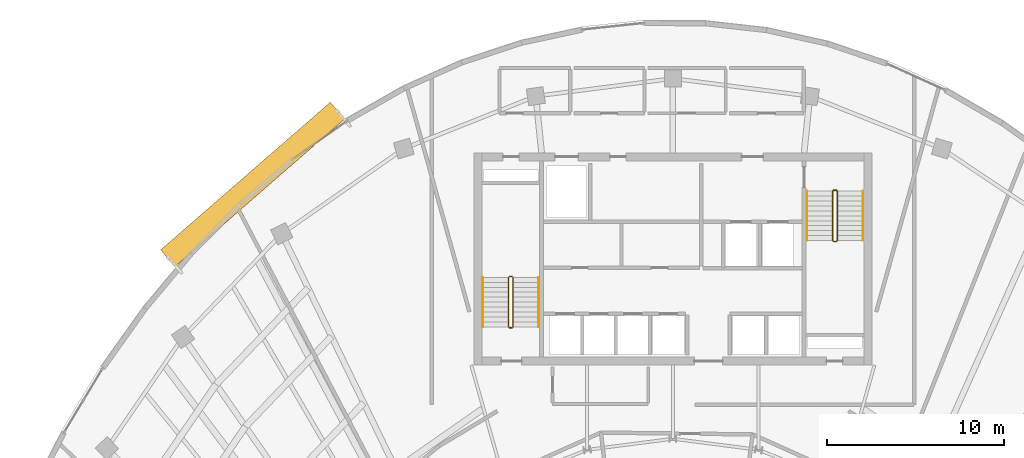
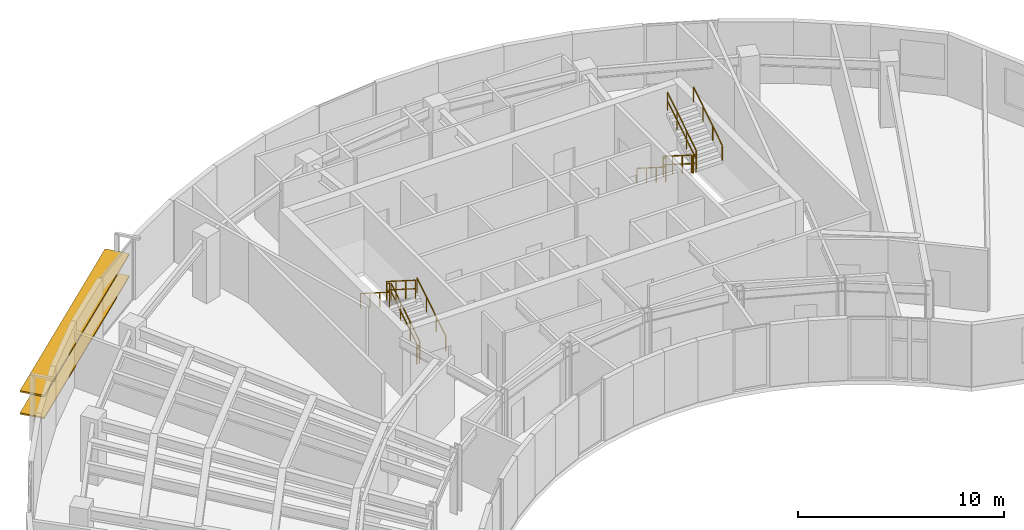
# One storey, part 12 of 12: 12 railings, 2 shading devices.
"""IFC4 building model written with IfcOpenShell, lengths in metres."""

from ifc_helpers import new_model, si_unit, direction, frame, origin, origin_2d, place, context, subcontext, project, spatial, rectangle, extrude, source, transform, mapped, material, material_profile, profile_set, type_object, element, save


model = new_model("IFC4")

# Units and contexts
model_context = context("Model", 3, precision=1e-05, world=origin(), true_north=direction((0.0, 1.0)))
body_context = subcontext(model_context, "Body", "Model", "MODEL_VIEW")
ifc_project = project(units=[si_unit("LENGTHUNIT", "METRE"), si_unit("AREAUNIT", "SQUARE_METRE"), si_unit("VOLUMEUNIT", "CUBIC_METRE"), si_unit("PLANEANGLEUNIT", "RADIAN"), si_unit("MASSUNIT", "GRAM", prefix="KILO")], contexts=[model_context])

# Site, building, storey
site_placement = place(None, origin())
site = spatial("IfcSite", under=ifc_project, at=site_placement, CompositionType="ELEMENT")
building_placement = place(site_placement, origin())
building = spatial("IfcBuilding", under=site, at=building_placement, Name="Breltana Convention Tower", CompositionType="ELEMENT")
storey_placement = place(building_placement, frame((0.0, 0.0, 246.89990234375)))
storey = spatial("IfcBuildingStorey", under=building, at=storey_placement, Name="L60", CompositionType="ELEMENT", Elevation=246.89990234375)

# Railings
ifc_material_1 = material(Name="Steel S275 Painted", Category="steel")
railing_type_1 = type_object("IfcRailingType", Name="RL-STAIR-GUARD-1100", PredefinedType="GUARDRAIL", material=ifc_material_1)
railing_1_placement = place(storey_placement, frame((38.9599609375, 62.360107421875, 0.177490234375)))
element("IfcRailing", 1, at=railing_1_placement, inside=storey, type_object=railing_type_1, Name="L60 ST-1 stair guard 1", PredefinedType="GUARDRAIL", context=body_context, shape_type="SweptSolid", body=[
    extrude(rectangle(XDim=0.048095703125, YDim=0.048095703125, at=origin_2d()), frame((0.0, 0.0, 1.076171875), z_axis=(0.0, 0.844887892834, 0.53494340686), x_axis=(-1.0, 0.0, 0.0)), (0.0, 0.0, 1.0), 3.313720703125),
    extrude(rectangle(XDim=0.048095703125, YDim=0.048095703125, at=origin_2d()), frame((0.0, 0.0, 0.572021484375), z_axis=(0.0, 0.844887892834, 0.53494340686), x_axis=(-1.0, 0.0, 0.0)), (0.0, 0.0, 1.0), 3.313720703125),
    extrude(rectangle(XDim=0.0419921875, YDim=0.0419921875, at=origin_2d()), origin(), (0.0, 0.0, 1.0), 1.052001953125),
    extrude(rectangle(XDim=0.0419921875, YDim=0.0419921875, at=origin_2d()), frame((0.0, 0.933349609375, 0.5908203125)), (0.0, 0.0, 1.0), 1.052001953125),
    extrude(rectangle(XDim=0.0419921875, YDim=0.0419921875, at=origin_2d()), frame((0.0, 1.866455078125, 1.181884765625)), (0.0, 0.0, 1.0), 1.052001953125),
    extrude(rectangle(XDim=0.0419921875, YDim=0.0419921875, at=origin_2d()), frame((0.0, 2.7998046875, 1.772705078125)), (0.0, 0.0, 1.0), 1.052001953125),
])
railing_2_placement = place(storey_placement, frame((38.909912109375, 65.2099609375, 1.9501953125)))
element("IfcRailing", 2, at=railing_2_placement, inside=storey, type_object=railing_type_1, Name="L60 ST-1 stair guard 2", PredefinedType="GUARDRAIL", context=body_context, shape_type="SweptSolid", body=[
    extrude(rectangle(XDim=0.048095703125, YDim=0.048095703125, at=origin_2d()), frame((0.0, 0.0, 1.076171875), z_axis=(-1.0, 0.0, 0.0), x_axis=(0.0, -1.0, 0.0)), (0.0, 0.0, 1.0), 0.14990234375),
    extrude(rectangle(XDim=0.048095703125, YDim=0.048095703125, at=origin_2d()), frame((0.0, 0.0, 0.572021484375), z_axis=(-1.0, 0.0, 0.0), x_axis=(0.0, -1.0, 0.0)), (0.0, 0.0, 1.0), 0.14990234375),
    extrude(rectangle(XDim=0.0419921875, YDim=0.0419921875, at=origin_2d()), origin(), (0.0, 0.0, 1.0), 1.052001953125),
    extrude(rectangle(XDim=0.0419921875, YDim=0.0419921875, at=origin_2d()), frame((-0.14990234375, 0.0, 0.0)), (0.0, 0.0, 1.0), 1.052001953125),
])
railing_3_placement = place(storey_placement, frame((38.7099609375, 65.159912109375, 2.12744140625)))
element("IfcRailing", 3, at=railing_3_placement, inside=storey, type_object=railing_type_1, Name="L60 ST-1 stair guard 3", PredefinedType="GUARDRAIL", context=body_context, shape_type="SweptSolid", body=[
    extrude(rectangle(XDim=0.048095703125, YDim=0.048095703125, at=origin_2d()), frame((0.0, 0.0, 1.076171875), z_axis=(0.0, -0.844887892834, 0.53494340686), x_axis=(1.0, 0.0, 0.0)), (0.0, 0.0, 1.0), 3.313720703125),
    extrude(rectangle(XDim=0.048095703125, YDim=0.048095703125, at=origin_2d()), frame((0.0, 0.0, 0.572021484375), z_axis=(0.0, -0.844887892834, 0.53494340686), x_axis=(1.0, 0.0, 0.0)), (0.0, 0.0, 1.0), 3.313720703125),
    extrude(rectangle(XDim=0.0419921875, YDim=0.0419921875, at=origin_2d()), origin(), (0.0, 0.0, 1.0), 1.052001953125),
    extrude(rectangle(XDim=0.0419921875, YDim=0.0419921875, at=origin_2d()), frame((0.0, -0.933349609375, 0.5908203125)), (0.0, 0.0, 1.0), 1.052001953125),
    extrude(rectangle(XDim=0.0419921875, YDim=0.0419921875, at=origin_2d()), frame((0.0, -1.866455078125, 1.181884765625)), (0.0, 0.0, 1.0), 1.052001953125),
    extrude(rectangle(XDim=0.0419921875, YDim=0.0419921875, at=origin_2d()), frame((0.0, -2.7998046875, 1.772705078125)), (0.0, 0.0, 1.0), 1.052001953125),
])
railing_4_placement = place(storey_placement, frame((38.909912109375, 62.31005859375, 0.0)))
element("IfcRailing", 4, at=railing_4_placement, inside=storey, type_object=railing_type_1, Name="L60 ST-1 stair guard 4", PredefinedType="GUARDRAIL", context=body_context, shape_type="SweptSolid", body=[
    extrude(rectangle(XDim=0.048095703125, YDim=0.048095703125, at=origin_2d()), frame((0.0, 0.0, 1.076171875), z_axis=(-1.0, 0.0, 0.0), x_axis=(0.0, -1.0, 0.0)), (0.0, 0.0, 1.0), 0.14990234375),
    extrude(rectangle(XDim=0.048095703125, YDim=0.048095703125, at=origin_2d()), frame((0.0, 0.0, 0.572021484375), z_axis=(-1.0, 0.0, 0.0), x_axis=(0.0, -1.0, 0.0)), (0.0, 0.0, 1.0), 0.14990234375),
    extrude(rectangle(XDim=0.0419921875, YDim=0.0419921875, at=origin_2d()), origin(), (0.0, 0.0, 1.0), 1.052001953125),
    extrude(rectangle(XDim=0.0419921875, YDim=0.0419921875, at=origin_2d()), frame((-0.14990234375, 0.0, 0.0)), (0.0, 0.0, 1.0), 1.052001953125),
])
railing_5_placement = place(storey_placement, frame((57.0400390625, 70.0400390625, 0.177490234375)))
element("IfcRailing", 5, at=railing_5_placement, inside=storey, type_object=railing_type_1, Name="L60 ST-2 stair guard 1", PredefinedType="GUARDRAIL", context=body_context, shape_type="SweptSolid", body=[
    extrude(rectangle(XDim=0.048095703125, YDim=0.048095703125, at=origin_2d()), frame((0.0, 0.0, 1.076171875), z_axis=(0.0, -0.844908973607, 0.534910110503), x_axis=(1.0, 0.0, 0.0)), (0.0, 0.0, 1.0), 3.31396484375),
    extrude(rectangle(XDim=0.048095703125, YDim=0.048095703125, at=origin_2d()), frame((0.0, 0.0, 0.572021484375), z_axis=(0.0, -0.844908973607, 0.534910110503), x_axis=(1.0, 0.0, 0.0)), (0.0, 0.0, 1.0), 3.31396484375),
    extrude(rectangle(XDim=0.0419921875, YDim=0.0419921875, at=origin_2d()), origin(), (0.0, 0.0, 1.0), 1.052001953125),
    extrude(rectangle(XDim=0.0419921875, YDim=0.0419921875, at=origin_2d()), frame((0.0, -0.933349609375, 0.5908203125)), (0.0, 0.0, 1.0), 1.052001953125),
    extrude(rectangle(XDim=0.0419921875, YDim=0.0419921875, at=origin_2d()), frame((0.0, -1.86669921875, 1.181884765625)), (0.0, 0.0, 1.0), 1.052001953125),
    extrude(rectangle(XDim=0.0419921875, YDim=0.0419921875, at=origin_2d()), frame((0.0, -2.800048828125, 1.772705078125)), (0.0, 0.0, 1.0), 1.052001953125),
])
railing_6_placement = place(storey_placement, frame((57.090087890625, 67.18994140625, 1.9501953125)))
element("IfcRailing", 6, at=railing_6_placement, inside=storey, type_object=railing_type_1, Name="L60 ST-2 stair guard 2", PredefinedType="GUARDRAIL", context=body_context, shape_type="SweptSolid", body=[
    extrude(rectangle(XDim=0.048095703125, YDim=0.048095703125, at=origin_2d()), frame((0.0, 0.0, 1.076171875), z_axis=(1.0, 0.0, 0.0), x_axis=(0.0, 1.0, 0.0)), (0.0, 0.0, 1.0), 0.14990234375),
    extrude(rectangle(XDim=0.048095703125, YDim=0.048095703125, at=origin_2d()), frame((0.0, 0.0, 0.572021484375), z_axis=(1.0, 0.0, 0.0), x_axis=(0.0, 1.0, 0.0)), (0.0, 0.0, 1.0), 0.14990234375),
    extrude(rectangle(XDim=0.0419921875, YDim=0.0419921875, at=origin_2d()), origin(), (0.0, 0.0, 1.0), 1.052001953125),
    extrude(rectangle(XDim=0.0419921875, YDim=0.0419921875, at=origin_2d()), frame((0.14990234375, 0.0, 0.0)), (0.0, 0.0, 1.0), 1.052001953125),
])
railing_7_placement = place(storey_placement, frame((57.2900390625, 67.239990234375, 2.12744140625)))
element("IfcRailing", 7, at=railing_7_placement, inside=storey, type_object=railing_type_1, Name="L60 ST-2 stair guard 3", PredefinedType="GUARDRAIL", context=body_context, shape_type="SweptSolid", body=[
    extrude(rectangle(XDim=0.048095703125, YDim=0.048095703125, at=origin_2d()), frame((0.0, 0.0, 1.076171875), z_axis=(0.0, 0.844908973607, 0.534910110503), x_axis=(-1.0, 0.0, 0.0)), (0.0, 0.0, 1.0), 3.31396484375),
    extrude(rectangle(XDim=0.048095703125, YDim=0.048095703125, at=origin_2d()), frame((0.0, 0.0, 0.572021484375), z_axis=(0.0, 0.844908973607, 0.534910110503), x_axis=(-1.0, 0.0, 0.0)), (0.0, 0.0, 1.0), 3.31396484375),
    extrude(rectangle(XDim=0.0419921875, YDim=0.0419921875, at=origin_2d()), origin(), (0.0, 0.0, 1.0), 1.052001953125),
    extrude(rectangle(XDim=0.0419921875, YDim=0.0419921875, at=origin_2d()), frame((0.0, 0.933349609375, 0.5908203125)), (0.0, 0.0, 1.0), 1.052001953125),
    extrude(rectangle(XDim=0.0419921875, YDim=0.0419921875, at=origin_2d()), frame((0.0, 1.86669921875, 1.181884765625)), (0.0, 0.0, 1.0), 1.052001953125),
    extrude(rectangle(XDim=0.0419921875, YDim=0.0419921875, at=origin_2d()), frame((0.0, 2.800048828125, 1.772705078125)), (0.0, 0.0, 1.0), 1.052001953125),
])
railing_8_placement = place(storey_placement, frame((57.090087890625, 70.090087890625, 0.0)))
element("IfcRailing", 8, at=railing_8_placement, inside=storey, type_object=railing_type_1, Name="L60 ST-2 stair guard 4", PredefinedType="GUARDRAIL", context=body_context, shape_type="SweptSolid", body=[
    extrude(rectangle(XDim=0.048095703125, YDim=0.048095703125, at=origin_2d()), frame((0.0, 0.0, 1.076171875), z_axis=(1.0, 0.0, 0.0), x_axis=(0.0, 1.0, 0.0)), (0.0, 0.0, 1.0), 0.14990234375),
    extrude(rectangle(XDim=0.048095703125, YDim=0.048095703125, at=origin_2d()), frame((0.0, 0.0, 0.572021484375), z_axis=(1.0, 0.0, 0.0), x_axis=(0.0, 1.0, 0.0)), (0.0, 0.0, 1.0), 0.14990234375),
    extrude(rectangle(XDim=0.0419921875, YDim=0.0419921875, at=origin_2d()), origin(), (0.0, 0.0, 1.0), 1.052001953125),
    extrude(rectangle(XDim=0.0419921875, YDim=0.0419921875, at=origin_2d()), frame((0.14990234375, 0.0, 0.0)), (0.0, 0.0, 1.0), 1.052001953125),
])
ifc_material_2 = material(Name="Stainless Steel 316L", Category="steel")
railing_type_2 = type_object("IfcRailingType", Name="RL-STAIR-HANDRAIL-900", PredefinedType="HANDRAIL", material=ifc_material_2)
railing_9_placement = place(storey_placement, frame((40.419921875, 62.360107421875, 0.177490234375)))
element("IfcRailing", 9, at=railing_9_placement, inside=storey, type_object=railing_type_2, Name="L60 ST-1 stair handrail 1", PredefinedType="HANDRAIL", context=body_context, shape_type="SweptSolid", body=[
    extrude(rectangle(XDim=0.048095703125, YDim=0.048095703125, at=origin_2d()), frame((0.0, 0.0, 0.8759765625), z_axis=(0.0, 0.844887892834, 0.53494340686), x_axis=(-1.0, 0.0, 0.0)), (0.0, 0.0, 1.0), 3.313720703125),
    extrude(rectangle(XDim=0.0419921875, YDim=0.0419921875, at=origin_2d()), origin(), (0.0, 0.0, 1.0), 0.851806640625),
    extrude(rectangle(XDim=0.0419921875, YDim=0.0419921875, at=origin_2d()), frame((0.0, 0.933349609375, 0.5908203125)), (0.0, 0.0, 1.0), 0.851806640625),
    extrude(rectangle(XDim=0.0419921875, YDim=0.0419921875, at=origin_2d()), frame((0.0, 1.866455078125, 1.181884765625)), (0.0, 0.0, 1.0), 0.851806640625),
    extrude(rectangle(XDim=0.0419921875, YDim=0.0419921875, at=origin_2d()), frame((0.0, 2.7998046875, 1.772705078125)), (0.0, 0.0, 1.0), 0.851806640625),
])
railing_10_placement = place(storey_placement, frame((37.25, 65.159912109375, 2.12744140625)))
element("IfcRailing", 10, at=railing_10_placement, inside=storey, type_object=railing_type_2, Name="L60 ST-1 stair handrail 2", PredefinedType="HANDRAIL", context=body_context, shape_type="SweptSolid", body=[
    extrude(rectangle(XDim=0.048095703125, YDim=0.048095703125, at=origin_2d()), frame((0.0, 0.0, 0.8759765625), z_axis=(0.0, -0.844887892834, 0.53494340686), x_axis=(1.0, 0.0, 0.0)), (0.0, 0.0, 1.0), 3.313720703125),
    extrude(rectangle(XDim=0.0419921875, YDim=0.0419921875, at=origin_2d()), origin(), (0.0, 0.0, 1.0), 0.851806640625),
    extrude(rectangle(XDim=0.0419921875, YDim=0.0419921875, at=origin_2d()), frame((0.0, -0.933349609375, 0.5908203125)), (0.0, 0.0, 1.0), 0.851806640625),
    extrude(rectangle(XDim=0.0419921875, YDim=0.0419921875, at=origin_2d()), frame((0.0, -1.866455078125, 1.181884765625)), (0.0, 0.0, 1.0), 0.851806640625),
    extrude(rectangle(XDim=0.0419921875, YDim=0.0419921875, at=origin_2d()), frame((0.0, -2.7998046875, 1.772705078125)), (0.0, 0.0, 1.0), 0.851806640625),
])
railing_11_placement = place(storey_placement, frame((55.580078125, 70.0400390625, 0.177490234375)))
element("IfcRailing", 11, at=railing_11_placement, inside=storey, type_object=railing_type_2, Name="L60 ST-2 stair handrail 1", PredefinedType="HANDRAIL", context=body_context, shape_type="SweptSolid", body=[
    extrude(rectangle(XDim=0.048095703125, YDim=0.048095703125, at=origin_2d()), frame((0.0, 0.0, 0.8759765625), z_axis=(0.0, -0.844908973607, 0.534910110503), x_axis=(1.0, 0.0, 0.0)), (0.0, 0.0, 1.0), 3.31396484375),
    extrude(rectangle(XDim=0.0419921875, YDim=0.0419921875, at=origin_2d()), origin(), (0.0, 0.0, 1.0), 0.851806640625),
    extrude(rectangle(XDim=0.0419921875, YDim=0.0419921875, at=origin_2d()), frame((0.0, -0.933349609375, 0.5908203125)), (0.0, 0.0, 1.0), 0.851806640625),
    extrude(rectangle(XDim=0.0419921875, YDim=0.0419921875, at=origin_2d()), frame((0.0, -1.86669921875, 1.181884765625)), (0.0, 0.0, 1.0), 0.851806640625),
    extrude(rectangle(XDim=0.0419921875, YDim=0.0419921875, at=origin_2d()), frame((0.0, -2.800048828125, 1.772705078125)), (0.0, 0.0, 1.0), 0.851806640625),
])
railing_12_placement = place(storey_placement, frame((58.75, 67.239990234375, 2.12744140625)))
element("IfcRailing", 12, at=railing_12_placement, inside=storey, type_object=railing_type_2, Name="L60 ST-2 stair handrail 2", PredefinedType="HANDRAIL", context=body_context, shape_type="SweptSolid", body=[
    extrude(rectangle(XDim=0.048095703125, YDim=0.048095703125, at=origin_2d()), frame((0.0, 0.0, 0.8759765625), z_axis=(0.0, 0.844908973607, 0.534910110503), x_axis=(-1.0, 0.0, 0.0)), (0.0, 0.0, 1.0), 3.31396484375),
    extrude(rectangle(XDim=0.0419921875, YDim=0.0419921875, at=origin_2d()), origin(), (0.0, 0.0, 1.0), 0.851806640625),
    extrude(rectangle(XDim=0.0419921875, YDim=0.0419921875, at=origin_2d()), frame((0.0, 0.933349609375, 0.5908203125)), (0.0, 0.0, 1.0), 0.851806640625),
    extrude(rectangle(XDim=0.0419921875, YDim=0.0419921875, at=origin_2d()), frame((0.0, 1.86669921875, 1.181884765625)), (0.0, 0.0, 1.0), 0.851806640625),
    extrude(rectangle(XDim=0.0419921875, YDim=0.0419921875, at=origin_2d()), frame((0.0, 2.800048828125, 1.772705078125)), (0.0, 0.0, 1.0), 0.851806640625),
])

# Shading devices
ifc_material_3 = material(Name="Limestone Warm Buff Honed", Category="masonry")
ifc_material_profile = material_profile(ifc_material_3, rectangle(XDim=1.25, YDim=0.090087890625, at=origin_2d()), Name="STN-LVR-1250X90")
ifc_profile_set = profile_set([ifc_material_profile], Name="Limestone Warm Buff Honed")
shading_device_type = type_object("IfcShadingDeviceType", Name="SHD-OUTER-SKIN-LIMESTONE-1250", PredefinedType="JALOUSIE", material=ifc_profile_set)
shared_shape = source(origin(), body_context, "Body", "SweptSolid", [
    extrude(rectangle(XDim=1.25, YDim=0.090087890625, at=origin_2d()), origin(), (0.0, 0.0, 1.0), 12.716064453125),
])
for number, where, z_axis, x_axis, name in (
    (13, (19.4482421875, 66.243408203125, 1.314208984375), (0.754376904049, 0.656441533298, 0.0), (-0.656441533298, 0.754376904049, 0.0), "L60 outer skin warm limestone louvre 1.1"),
    (14, (19.4482421875, 66.243408203125, 2.628173828125), (0.754376904049, 0.656441533298, 0.0), (-0.656441533298, 0.754376904049, 0.0), "L60 outer skin warm limestone louvre 1.2"),
):
    element("IfcShadingDevice", number, at=place(storey_placement, frame(where, z_axis=z_axis, x_axis=x_axis)), inside=storey, type_object=shading_device_type, Name=name, PredefinedType="JALOUSIE", context=body_context, shape_type="MappedRepresentation", body=[
        mapped(shared_shape, transform((0.0, 0.0, 0.0), scale=1.0)),
    ])

save(model, "model.ifc")
